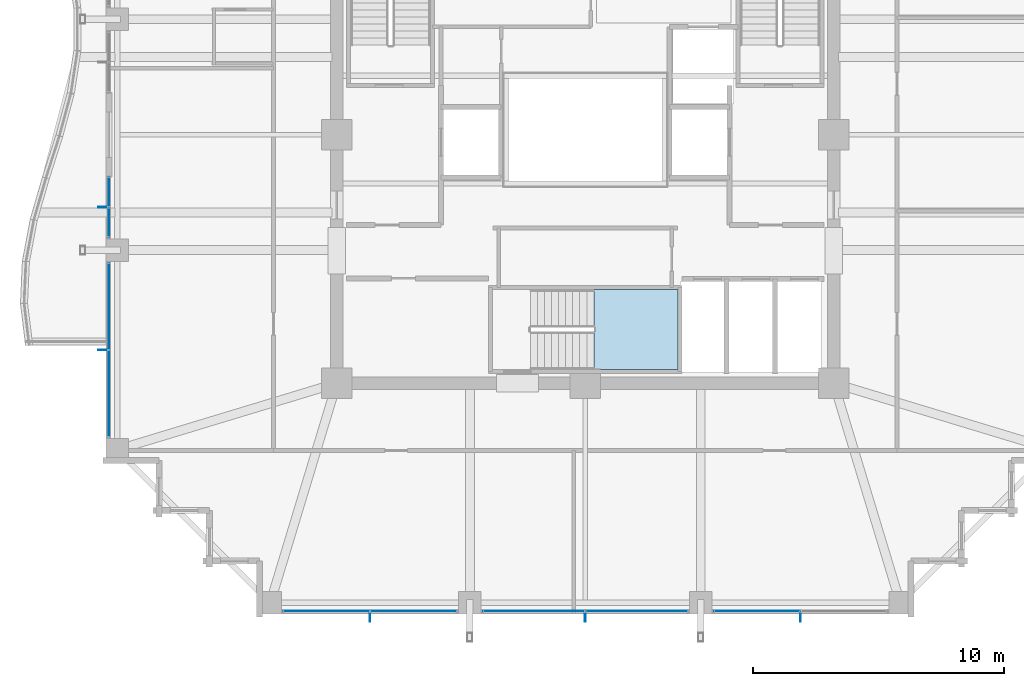
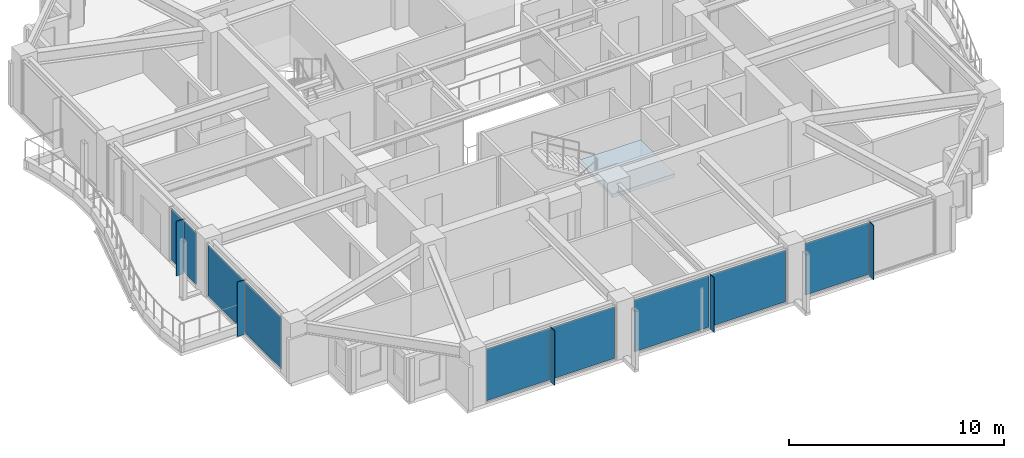
# One storey, part 25 of 35: 14 plates, 1 slab, 6 elements without a shape of their own.
"""IFC4 building model written with IfcOpenShell, lengths in metres."""

from ifc_helpers import new_model, si_unit, direction, frame, origin, origin_2d, place, context, subcontext, project, spatial, polyline, rectangle, outline, extrude, material, layer, layer_set, type_object, element, aggregate, save


model = new_model("IFC4")

# Units and contexts
model_context = context("Model", 3, precision=1e-05, world=origin(), true_north=direction((0.0, 1.0)))
body_context = subcontext(model_context, "Body", "Model", "MODEL_VIEW")
ifc_project = project(units=[si_unit("LENGTHUNIT", "METRE"), si_unit("AREAUNIT", "SQUARE_METRE"), si_unit("VOLUMEUNIT", "CUBIC_METRE"), si_unit("PLANEANGLEUNIT", "RADIAN"), si_unit("MASSUNIT", "GRAM", prefix="KILO")], contexts=[model_context])

# Site, building, storey
site_placement = place(None, origin())
site = spatial("IfcSite", under=ifc_project, at=site_placement, CompositionType="ELEMENT")
building_placement = place(site_placement, origin())
building = spatial("IfcBuilding", under=site, at=building_placement, Name="Kolvaren Belvedere", CompositionType="ELEMENT")
storey_placement = place(building_placement, frame((0.0, 0.0, 163.5)))
storey = spatial("IfcBuildingStorey", under=building, at=storey_placement, Name="L47", CompositionType="ELEMENT", Elevation=163.5)

# Curtain wall, plate
ifc_material_1 = material(Name="Anodised pale-metal aluminium AA 6063-T6", Category="aluminium")
curtain_wall_type = type_object("IfcCurtainWallType", Name="CW-Z3-WAIST", PredefinedType="NOTDEFINED", material=ifc_material_1)
curtain_wall_1_placement = place(storey_placement, origin())
curtain_wall_1 = element("IfcCurtainWall", 1, at=curtain_wall_1_placement, inside=storey, type_object=curtain_wall_type, Name="L47 Unitised Curtain Wall FCW-L47-S-B1", PredefinedType="NOTDEFINED")
ifc_material_2 = material(Name="Low-iron triple insulated glass", Category="glass")
ifc_layer_1 = layer(ifc_material_2, 0.028076171875)
ifc_layer_set_1 = layer_set([ifc_layer_1], Name="Low-iron triple insulated glass")
plate_type_1 = type_object("IfcPlateType", Name="CW-PNL-VIS28", PredefinedType="CURTAIN_PANEL", material=ifc_layer_set_1)
plate_1_placement = place(storey_placement, frame((6.8388671875, -18.97998046875, 0.080078125), z_axis=(0.0, 0.0, 1.0), x_axis=(-1.0, 0.0, 0.0)))
plate_1 = element("IfcPlate", 2, at=plate_1_placement, type_object=plate_type_1, Name="FCW-L47-S-B1 Vision Glazing Panel 2", PredefinedType="CURTAIN_PANEL", context=body_context, shape_type="SweptSolid", body=[
    extrude(rectangle(XDim=3.392578125, YDim=0.028076171875, at=origin_2d()), origin(), (0.0, 0.0, 1.0), 2.93994140625),
])
aggregate(curtain_wall_1, [plate_1])

# Curtain wall, plates
curtain_wall_2_placement = place(storey_placement, origin())
curtain_wall_2 = element("IfcCurtainWall", 3, at=curtain_wall_2_placement, inside=storey, type_object=curtain_wall_type, Name="L47 Unitised Curtain Wall FCW-L47-S-B2", PredefinedType="NOTDEFINED")
plate_2_placement = place(storey_placement, frame((2.048828125, -18.97998046875, 0.080078125), z_axis=(0.0, 0.0, 1.0), x_axis=(-1.0, 0.0, 0.0)))
plate_2 = element("IfcPlate", 4, at=plate_2_placement, type_object=plate_type_1, Name="FCW-L47-S-B2 Vision Glazing Panel 1", PredefinedType="CURTAIN_PANEL", context=body_context, shape_type="SweptSolid", body=[
    extrude(rectangle(XDim=4.017578125, YDim=0.028076171875, at=origin_2d()), origin(), (0.0, 0.0, 1.0), 2.93994140625),
])
plate_3_placement = place(storey_placement, frame((-2.048828125, -18.97998046875, 0.080078125), z_axis=(0.0, 0.0, 1.0), x_axis=(-1.0, 0.0, 0.0)))
plate_3 = element("IfcPlate", 5, at=plate_3_placement, type_object=plate_type_1, Name="FCW-L47-S-B2 Vision Glazing Panel 2", PredefinedType="CURTAIN_PANEL", context=body_context, shape_type="SweptSolid", body=[
    extrude(rectangle(XDim=4.017578125, YDim=0.028076171875, at=origin_2d()), origin(), (0.0, 0.0, 1.0), 2.93994140625),
])
aggregate(curtain_wall_2, [plate_2, plate_3])

curtain_wall_3_placement = place(storey_placement, origin())
curtain_wall_3 = element("IfcCurtainWall", 6, at=curtain_wall_3_placement, inside=storey, type_object=curtain_wall_type, Name="L47 Unitised Curtain Wall FCW-L47-S-B3", PredefinedType="NOTDEFINED")
plate_4_placement = place(storey_placement, frame((-6.8388671875, -18.97998046875, 0.080078125), z_axis=(0.0, 0.0, 1.0), x_axis=(-1.0, 0.0, 0.0)))
plate_4 = element("IfcPlate", 7, at=plate_4_placement, type_object=plate_type_1, Name="FCW-L47-S-B3 Vision Glazing Panel 1", PredefinedType="CURTAIN_PANEL", context=body_context, shape_type="SweptSolid", body=[
    extrude(rectangle(XDim=3.392578125, YDim=0.028076171875, at=origin_2d()), origin(), (0.0, 0.0, 1.0), 2.93994140625),
])
plate_5_placement = place(storey_placement, frame((-10.311279296875, -18.97998046875, 0.080078125), z_axis=(0.0, 0.0, 1.0), x_axis=(-1.0, 0.0, 0.0)))
plate_5 = element("IfcPlate", 8, at=plate_5_placement, type_object=plate_type_1, Name="FCW-L47-S-B3 Vision Glazing Panel 2", PredefinedType="CURTAIN_PANEL", context=body_context, shape_type="SweptSolid", body=[
    extrude(rectangle(XDim=3.392578125, YDim=0.028076171875, at=origin_2d()), origin(), (0.0, 0.0, 1.0), 2.93994140625),
])
aggregate(curtain_wall_3, [plate_4, plate_5])

curtain_wall_4_placement = place(storey_placement, origin())
curtain_wall_4 = element("IfcCurtainWall", 9, at=curtain_wall_4_placement, inside=storey, type_object=curtain_wall_type, Name="L47 Unitised Curtain Wall FCW-L47-W1-B1", PredefinedType="NOTDEFINED")
plate_6_placement = place(storey_placement, frame((-18.97998046875, -10.311279296875, 0.080078125), z_axis=(0.0, 0.0, 1.0), x_axis=(0.0, 1.0, 0.0)))
plate_6 = element("IfcPlate", 10, at=plate_6_placement, type_object=plate_type_1, Name="FCW-L47-W1-B1 Vision Glazing Panel 1", PredefinedType="CURTAIN_PANEL", context=body_context, shape_type="SweptSolid", body=[
    extrude(rectangle(XDim=3.392578125, YDim=0.028076171875, at=origin_2d()), origin(), (0.0, 0.0, 1.0), 2.93994140625),
])
plate_7_placement = place(storey_placement, frame((-18.97998046875, -6.8388671875, 0.080078125), z_axis=(0.0, 0.0, 1.0), x_axis=(0.0, 1.0, 0.0)))
plate_7 = element("IfcPlate", 11, at=plate_7_placement, type_object=plate_type_1, Name="FCW-L47-W1-B1 Vision Glazing Panel 2", PredefinedType="CURTAIN_PANEL", context=body_context, shape_type="SweptSolid", body=[
    extrude(rectangle(XDim=3.392578125, YDim=0.028076171875, at=origin_2d()), origin(), (0.0, 0.0, 1.0), 2.93994140625),
])
aggregate(curtain_wall_4, [plate_6, plate_7])

curtain_wall_5_placement = place(storey_placement, origin())
curtain_wall_5 = element("IfcCurtainWall", 12, at=curtain_wall_5_placement, inside=storey, type_object=curtain_wall_type, Name="L47 Unitised Curtain Wall FCW-L47-W1-B2", PredefinedType="NOTDEFINED")
plate_8_placement = place(storey_placement, frame((-18.97998046875, -3.4931640625, 0.080078125), z_axis=(0.0, 0.0, 1.0), x_axis=(0.0, 1.0, 0.0)))
plate_8 = element("IfcPlate", 13, at=plate_8_placement, type_object=plate_type_1, Name="FCW-L47-W1-B2 Vision Glazing Panel 1", PredefinedType="CURTAIN_PANEL", context=body_context, shape_type="SweptSolid", body=[
    extrude(rectangle(XDim=1.12890625, YDim=0.028076171875, at=origin_2d()), origin(), (0.0, 0.0, 1.0), 2.93994140625),
])
plate_9_placement = place(storey_placement, frame((-18.97998046875, -2.284423828125, 0.080078125), z_axis=(0.0, 0.0, 1.0), x_axis=(0.0, 1.0, 0.0)))
plate_9 = element("IfcPlate", 14, at=plate_9_placement, type_object=plate_type_1, Name="FCW-L47-W1-B2 Vision Glazing Panel 2", PredefinedType="CURTAIN_PANEL", context=body_context, shape_type="SweptSolid", body=[
    extrude(rectangle(XDim=1.12890625, YDim=0.028076171875, at=origin_2d()), origin(), (0.0, 0.0, 1.0), 2.93994140625),
])
aggregate(curtain_wall_5, [plate_8, plate_9])

# Plates
ifc_material_3 = material(Name="Anodised pale-metal aluminium AA 6063-T6", Category="aluminium")
ifc_layer_2 = layer(ifc_material_3, 0.033935546875)
ifc_layer_set_2 = layer_set([ifc_layer_2], Name="Anodised pale-metal aluminium AA 6063-T6")
plate_type_2 = type_object("IfcPlateType", Name="FIN-VERT-380", PredefinedType="USERDEFINED", material=ifc_layer_set_2)
for number, where, z_axis, x_axis, name in (
    (15, (8.574951171875, -19.219970703125, 0.0), (0.0, 0.0, 1.0), (0.0, 1.0, 0.0), "L47 Pale-Metal Vertical Shading Fin FCW-L47-S-B1-1"),
    (16, (0.0, -19.219970703125, 0.0), (0.0, 0.0, 1.0), (0.0, 1.0, 0.0), "L47 Pale-Metal Vertical Shading Fin FCW-L47-S-B2-1"),
    (17, (-8.574951171875, -19.219970703125, 0.0), (0.0, 0.0, 1.0), (0.0, 1.0, 0.0), "L47 Pale-Metal Vertical Shading Fin FCW-L47-S-B3-1"),
    (18, (-19.219970703125, -8.574951171875, 0.0), (0.0, 0.0, 1.0), (1.0, 0.0, 0.0), "L47 Pale-Metal Vertical Shading Fin FCW-L47-W1-B1-1"),
    (19, (-19.219970703125, -2.888671875, 0.0), (0.0, 0.0, 1.0), (1.0, 0.0, 0.0), "L47 Pale-Metal Vertical Shading Fin FCW-L47-W1-B2-1"),
):
    element("IfcPlate", number, at=place(storey_placement, frame(where, z_axis=z_axis, x_axis=x_axis)), inside=storey, type_object=plate_type_2, Name=name, ObjectType="VERTICAL FIN", PredefinedType="USERDEFINED", context=body_context, shape_type="SweptSolid", body=[
        extrude(rectangle(XDim=0.3798828125, YDim=0.033935546875, at=origin_2d()), origin(), (0.0, 0.0, 1.0), 3.10009765625),
    ])

# Stair, slab
ifc_material_4 = material(Name="Concrete C50/60", Category="concrete")
stair_type = type_object("IfcStairType", Name="ST-CORE-1520", PredefinedType="HALF_TURN_STAIR", material=ifc_material_4)
stair_placement = place(storey_placement, origin())
stair = element("IfcStair", 20, at=stair_placement, inside=storey, type_object=stair_type, Name="L47 Protected Exit Stair ST-3", PredefinedType="HALF_TURN_STAIR")
ifc_material_5 = material(Name="Concrete C50/60", Category="concrete")
ifc_layer_3 = layer(ifc_material_5, 0.260009765625)
ifc_layer_set_3 = layer_set([ifc_layer_3], Name="Concrete C50/60")
slab_type = type_object("IfcSlabType", Name="SL-LAND-260", PredefinedType="LANDING", material=ifc_layer_set_3)
slab_placement = place(storey_placement, frame((0.0, 0.0, 1.449951171875)))
slab = element("IfcSlab", 21, at=slab_placement, type_object=slab_type, Name="ST-3 landing 1", PredefinedType="LANDING", context=body_context, shape_type="SweptSolid", body=[
    extrude(outline(polyline([(0.340087890625, -9.35009765625), (3.699951171875, -9.35009765625), (3.699951171875, -6.159912109375), (0.340087890625, -6.159912109375), (0.340087890625, -9.35009765625)])), origin(), (0.0, 0.0, 1.0), 0.199951171875),
])
aggregate(stair, [slab])

save(model, "model.ifc")
